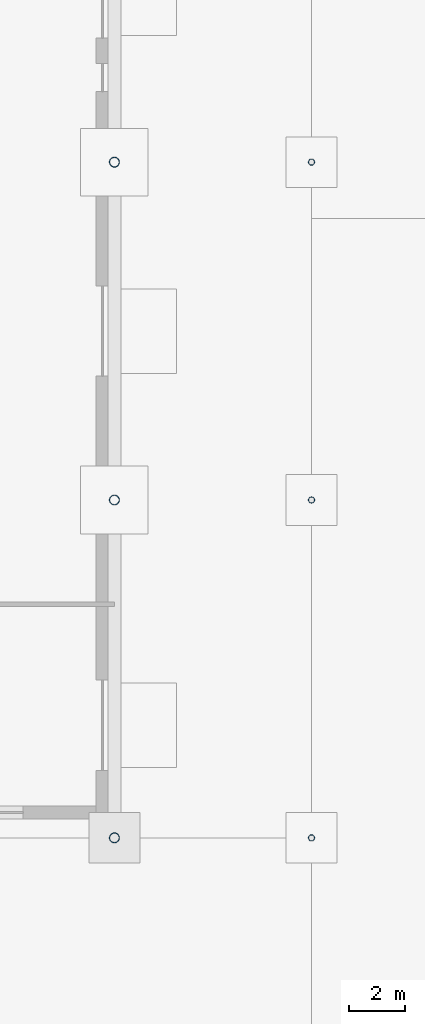
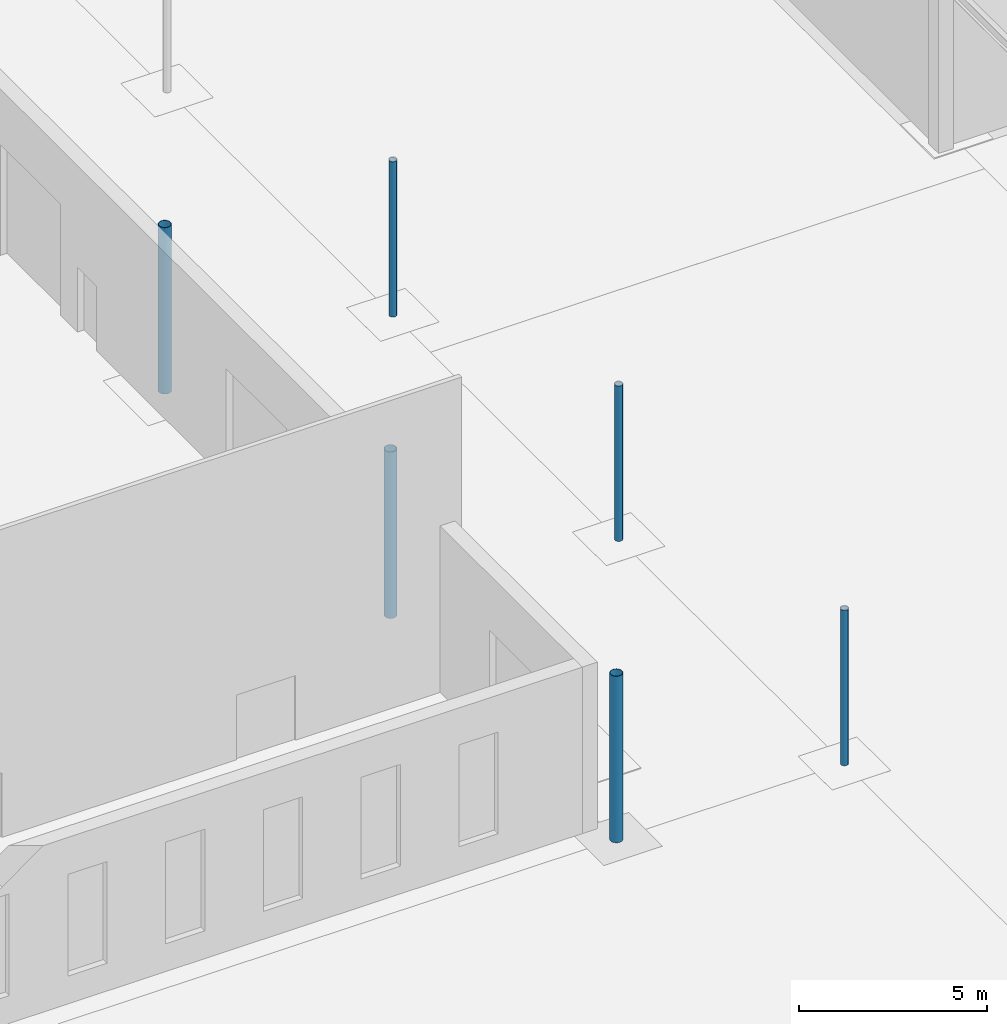
# One storey, part 40 of 132: 6 columns.
"""IFC4 building model written with IfcOpenShell, lengths in metres."""

import ifcopenshell
import ifcopenshell.guid

model = None  # the IFC model being written
_history = None  # IfcOwnerHistory: only IFC2X3 demands one
_inside = {}  # id of a spatial element -> (the spatial element, [elements in it])
_under = {}  # id of a project, library or spatial element -> (it, [spatial elements below it])
_declared = {}  # id of a project -> (the project, [libraries it declares])
_typed = {}  # id of a type object -> (the type object, [elements of that type])
_made_of = {}  # id of a material, layer set ... -> (it, [elements and type objects made of it])


def new_model(schema):
    """Start an empty IFC model of exactly this schema.

    Asked for "IFC4X3", IfcOpenShell would pick the latest addendum, in which some entities
    have other attributes; the version numbers below select the first issue.
    IFC2X3 requires an IfcOwnerHistory on every rooted entity: one is made here for all.
    """
    global model, _history
    if schema == "IFC4X3":
        model = ifcopenshell.file(schema_version=(4, 3, 0, 0))
    else:
        model = ifcopenshell.file(schema=schema)
    _inside.clear()
    _under.clear()
    _declared.clear()
    _typed.clear()
    _made_of.clear()
    _history = None
    if model.schema == "IFC2X3":
        org = make("IfcOrganization", Name="unknown")
        user = make(
            "IfcPersonAndOrganization",
            ThePerson=make("IfcPerson", FamilyName="unknown"),
            TheOrganization=org,
        )
        app = make(
            "IfcApplication",
            ApplicationDeveloper=org,
            Version="unknown",
            ApplicationFullName="unknown",
            ApplicationIdentifier="unknown",
        )
        _history = make(
            "IfcOwnerHistory",
            OwningUser=user,
            OwningApplication=app,
            ChangeAction="ADDED",
            CreationDate=0,
        )
    return model


def make(cls, **values):
    """One entity of the class cls with the attributes given. An attribute that is None is left unset."""
    return model.create_entity(
        cls, **{name: value for name, value in values.items() if value is not None}
    )


def rooted(cls, **values):
    """An entity with a GlobalId (a new one), such as an element, a storey or a relation."""
    return make(cls, GlobalId=ifcopenshell.guid.new(), OwnerHistory=_history, **values)


def si_unit(unit_type, name, prefix=None):
    """IfcSIUnit, for example si_unit("LENGTHUNIT", "METRE", prefix="MILLI")."""
    return make("IfcSIUnit", UnitType=unit_type, Prefix=prefix, Name=name)


def assignment(units):
    """IfcUnitAssignment: the units of a project."""
    return None if units is None else make("IfcUnitAssignment", Units=units)


def point(xyz):
    """IfcCartesianPoint."""
    return None if xyz is None else make("IfcCartesianPoint", Coordinates=xyz)


def direction(xyz):
    """IfcDirection."""
    return None if xyz is None else make("IfcDirection", DirectionRatios=xyz)


def frame(location, z_axis=None, x_axis=None):
    """IfcAxis2Placement3D, a coordinate frame: its origin and axes. An axis left out is left unset."""
    return make(
        "IfcAxis2Placement3D",
        Location=point(location),
        Axis=direction(z_axis),
        RefDirection=direction(x_axis),
    )


def frame_2d(location, x_axis=None):
    """IfcAxis2Placement2D, a coordinate frame in the plane: its origin and x axis."""
    return make(
        "IfcAxis2Placement2D", Location=point(location), RefDirection=direction(x_axis)
    )


def origin():
    """The frame at (0, 0, 0) with its axes left unset."""
    return frame((0.0, 0.0, 0.0))


def origin_2d():
    """The frame at (0, 0) in the plane with its x axis left unset."""
    return frame_2d((0.0, 0.0))


def place(relative_to, where):
    """IfcLocalPlacement: puts the frame where relative to a parent placement (None: the world)."""
    return make(
        "IfcLocalPlacement", PlacementRelTo=relative_to, RelativePlacement=where
    )


def context(
    kind, dimensions, precision=None, world=None, true_north=None, identifier=None
):
    """IfcGeometricRepresentationContext, for example the 3D "Model" context."""
    return make(
        "IfcGeometricRepresentationContext",
        ContextIdentifier=identifier,
        ContextType=kind,
        CoordinateSpaceDimension=dimensions,
        Precision=precision,
        WorldCoordinateSystem=world,
        TrueNorth=true_north,
    )


def subcontext(parent, identifier, kind, view, scale=None):
    """IfcGeometricRepresentationSubContext, for example "Body" below "Model"."""
    return make(
        "IfcGeometricRepresentationSubContext",
        ContextIdentifier=identifier,
        ContextType=kind,
        ParentContext=parent,
        TargetScale=scale,
        TargetView=view,
    )


def project(units=None, contexts=None):
    """IfcProject with its units and contexts."""
    return rooted(
        "IfcProject",
        Name="project",
        RepresentationContexts=contexts,
        UnitsInContext=assignment(units),
    )


def spatial(cls, under=None, at=None, **own):
    """A site, building, storey or space (cls), placed at a placement, below another one or the project."""
    s = rooted(cls, ObjectPlacement=at, **own)
    if under is not None:
        _under.setdefault(under.id(), (under, []))[1].append(s)
    return s


def profile(cls, at=None, kind="AREA", **sizes):
    """A parametric profile (cls). Its sizes go by their IFC names, for example OverallWidth=200.0."""
    return make(cls, ProfileType=kind, Position=at, **sizes)


def hollow_circle(**sizes):
    """IfcCircleHollowProfileDef."""
    return profile("IfcCircleHollowProfileDef", **sizes)


def extrude(swept, where, along, depth):
    """IfcExtrudedAreaSolid: the profile swept, set in the frame where, extruded along a direction by depth."""
    return make(
        "IfcExtrudedAreaSolid",
        SweptArea=swept,
        Position=where,
        ExtrudedDirection=direction(along),
        Depth=depth,
    )


def shape(context_of_items, identifier, shape_type, items):
    """IfcShapeRepresentation: the items that make up one representation, for example the "Body"."""
    return make(
        "IfcShapeRepresentation",
        ContextOfItems=context_of_items,
        RepresentationIdentifier=identifier,
        RepresentationType=shape_type,
        Items=items,
    )


def material(Name=None, Category=None):
    """IfcMaterial."""
    return make("IfcMaterial", Name=Name, Category=Category)


def material_profile(
    of_material, cross_section, Name=None, Category=None, Priority=None
):
    """IfcMaterialProfile: a cross section and its material."""
    return make(
        "IfcMaterialProfile",
        Name=Name,
        Material=of_material,
        Profile=cross_section,
        Priority=Priority,
        Category=Category,
    )


def profile_set(profiles, Name=None, composite=None):
    """IfcMaterialProfileSet."""
    return make(
        "IfcMaterialProfileSet",
        Name=Name,
        MaterialProfiles=profiles,
        CompositeProfile=composite,
    )


def made_of(thing, what):
    """Note that an element or type object is made of a material, layer set ...; save() writes the relation."""
    if what is not None:
        _made_of.setdefault(what.id(), (what, []))[1].append(thing)
    return thing


def type_object(cls, material=None, **own):
    """A type object (cls), such as IfcWallType, which elements share."""
    return made_of(rooted(cls, **own), material)


def element(
    cls,
    number,
    at=None,
    inside=None,
    cuts=None,
    type_object=None,
    material=None,
    context=None,
    identifier="Body",
    shape_type=None,
    held_by="IfcProductDefinitionShape",
    body=None,
    shapes=None,
    **own,
):
    """One element of the class cls, such as IfcWall. Its Tag is "e" and its number.

    at: its placement. inside: the storey or other place that contains it. cuts: it is an
    opening in that element (IfcRelVoidsElement). A single representation is given by context,
    identifier, shape_type and body (its items); several are given by shapes. held_by: the class
    of the entity that holds the representations. save() writes the other relations.
    """
    e = rooted(cls, Tag="e%d" % number, ObjectPlacement=at, **own)
    if body is not None:
        shapes = [shape(context, identifier, shape_type, body)]
    if shapes is not None:
        e.Representation = make(held_by, Representations=shapes)
    if inside is not None:
        _inside.setdefault(inside.id(), (inside, []))[1].append(e)
    if cuts is not None:
        rooted(
            "IfcRelVoidsElement", RelatingBuildingElement=cuts, RelatedOpeningElement=e
        )
    if type_object is not None:
        _typed.setdefault(type_object.id(), (type_object, []))[1].append(e)
    return made_of(e, material)


def aggregate(whole, parts):
    """IfcRelAggregates: a whole, such as a stair, and the parts it consists of."""
    return rooted("IfcRelAggregates", RelatingObject=whole, RelatedObjects=parts)


def save(model, path):
    """Write the relations noted so far, then the file.

    IfcRelAggregates (storeys below a building ...), IfcRelContainedInSpatialStructure (elements
    in a storey), IfcRelDefinesByType, IfcRelAssociatesMaterial and IfcRelDeclares: one each for
    every whole, place, type object, material and project.
    """
    for whole, parts in _under.values():
        aggregate(whole, parts)
    for where, things in _inside.values():
        rooted(
            "IfcRelContainedInSpatialStructure",
            RelatedElements=things,
            RelatingStructure=where,
        )
    for kind, things in _typed.values():
        rooted("IfcRelDefinesByType", RelatedObjects=things, RelatingType=kind)
    for what, things in _made_of.values():
        rooted("IfcRelAssociatesMaterial", RelatedObjects=things, RelatingMaterial=what)
    for by, libraries in _declared.values():
        rooted("IfcRelDeclares", RelatingContext=by, RelatedDefinitions=libraries)
    model.write(path)


model = new_model("IFC4")

# Units and contexts
model_context = context("Model", 3, precision=1e-05, world=origin(), true_north=direction((0.0, 1.0)))
body_context = subcontext(model_context, "Body", "Model", "MODEL_VIEW")
ifc_project = project(units=[si_unit("LENGTHUNIT", "METRE"), si_unit("AREAUNIT", "SQUARE_METRE"), si_unit("VOLUMEUNIT", "CUBIC_METRE"), si_unit("PLANEANGLEUNIT", "RADIAN"), si_unit("MASSUNIT", "GRAM", prefix="KILO")], contexts=[model_context])

# Site, building, storey
site_placement = place(None, origin())
site = spatial("IfcSite", under=ifc_project, at=site_placement, CompositionType="ELEMENT")
building_placement = place(site_placement, origin())
building = spatial("IfcBuilding", under=site, at=building_placement, Name="Ravi Spectrum Wholesale Market", CompositionType="ELEMENT")
storey_placement = place(building_placement, origin())
storey = spatial("IfcBuildingStorey", under=building, at=storey_placement, Name="L00", CompositionType="ELEMENT", Elevation=0.0)

# Columns
ifc_material_1 = material(Name="Steel S355", Category="steel")
ifc_material_profile_1 = material_profile(ifc_material_1, hollow_circle(Radius=0.109619140625, WallThickness=0.008056640625, at=origin_2d()))
ifc_profile_set_1 = profile_set([ifc_material_profile_1], Name="Steel S355")
column_type_1 = type_object("IfcColumnType", Name="CHS 219.1x8 column", PredefinedType="COLUMN", material=ifc_profile_set_1)
for number, where, z_axis, x_axis, name in (
    (1, (205.0, 138.0, 0.0), (0.0, 0.0, 1.0), (1.0, 0.0, 0.0), "H3-COL-L00-015"),
    (2, (205.0, 150.0, 0.0), (0.0, 0.0, 1.0), (1.0, 0.0, 0.0), "H3-COL-L00-016"),
    (3, (205.0, 162.0, 0.0), (0.0, 0.0, 1.0), (1.0, 0.0, 0.0), "H3-COL-L00-017"),
):
    element("IfcColumn", number, at=place(storey_placement, frame(where, z_axis=z_axis, x_axis=x_axis)), inside=storey, type_object=column_type_1, Name=name, PredefinedType="COLUMN", context=body_context, shape_type="SweptSolid", body=[
        extrude(hollow_circle(Radius=0.109619140625, WallThickness=0.008056640625, at=origin_2d()), origin(), (0.0, 0.0, 1.0), 5.0400390625),
    ])
ifc_material_2 = material(Name="Steel S355", Category="steel")
ifc_material_profile_2 = material_profile(ifc_material_2, hollow_circle(Radius=0.177734375, WallThickness=0.012451171875, at=origin_2d()))
ifc_profile_set_2 = profile_set([ifc_material_profile_2], Name="Steel S355")
column_type_2 = type_object("IfcColumnType", Name="CHS 355.6x12.5 column", PredefinedType="COLUMN", material=ifc_profile_set_2)
for number, where, z_axis, x_axis, name in (
    (4, (198.0, 138.0, 0.0), (0.0, 0.0, 1.0), (1.0, 0.0, 0.0), "H3-COL-L00-006"),
    (5, (198.0, 150.0, 0.0), (0.0, 0.0, 1.0), (1.0, 0.0, 0.0), "H3-COL-L00-007"),
    (6, (198.0, 162.0, 0.0), (0.0, 0.0, 1.0), (1.0, 0.0, 0.0), "H3-COL-L00-008"),
):
    element("IfcColumn", number, at=place(storey_placement, frame(where, z_axis=z_axis, x_axis=x_axis)), inside=storey, type_object=column_type_2, Name=name, PredefinedType="COLUMN", context=body_context, shape_type="SweptSolid", body=[
        extrude(hollow_circle(Radius=0.177734375, WallThickness=0.012451171875, at=origin_2d()), origin(), (0.0, 0.0, 1.0), 5.39990234375),
    ])

save(model, "model.ifc")
